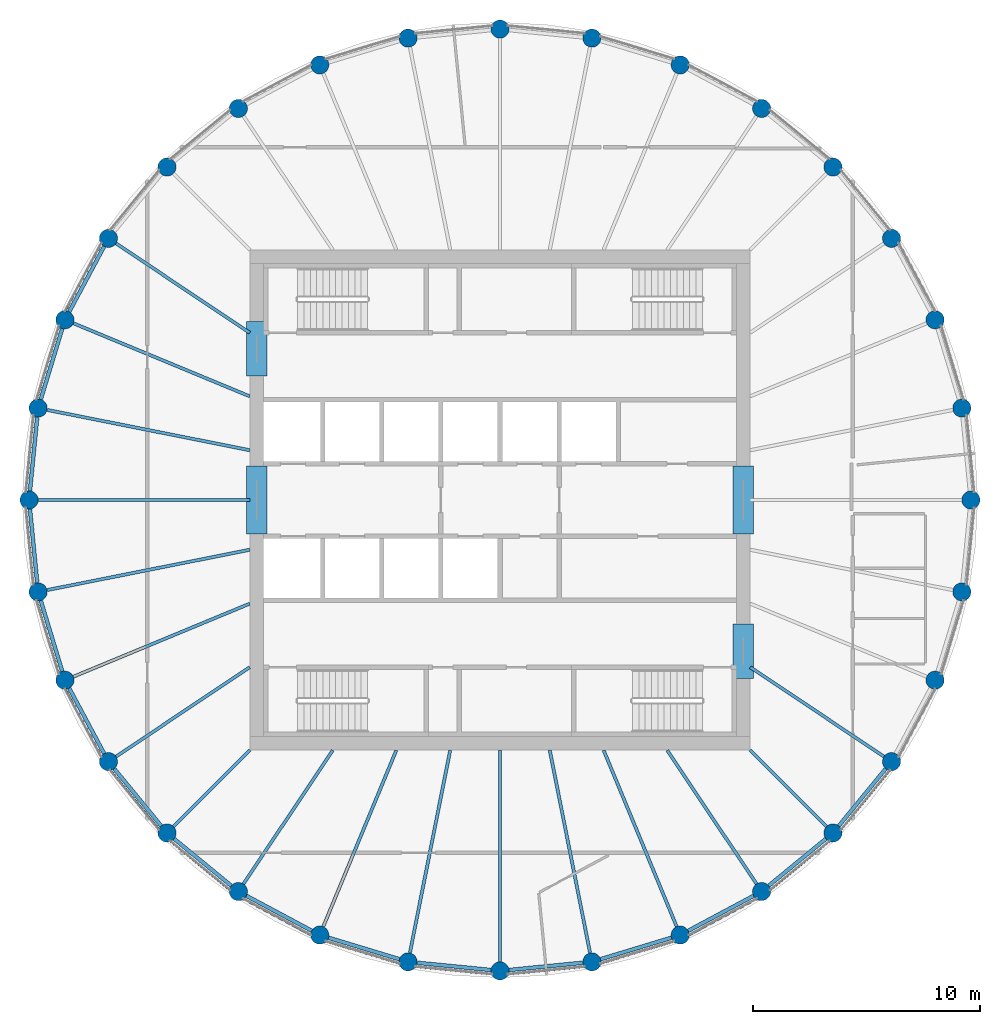
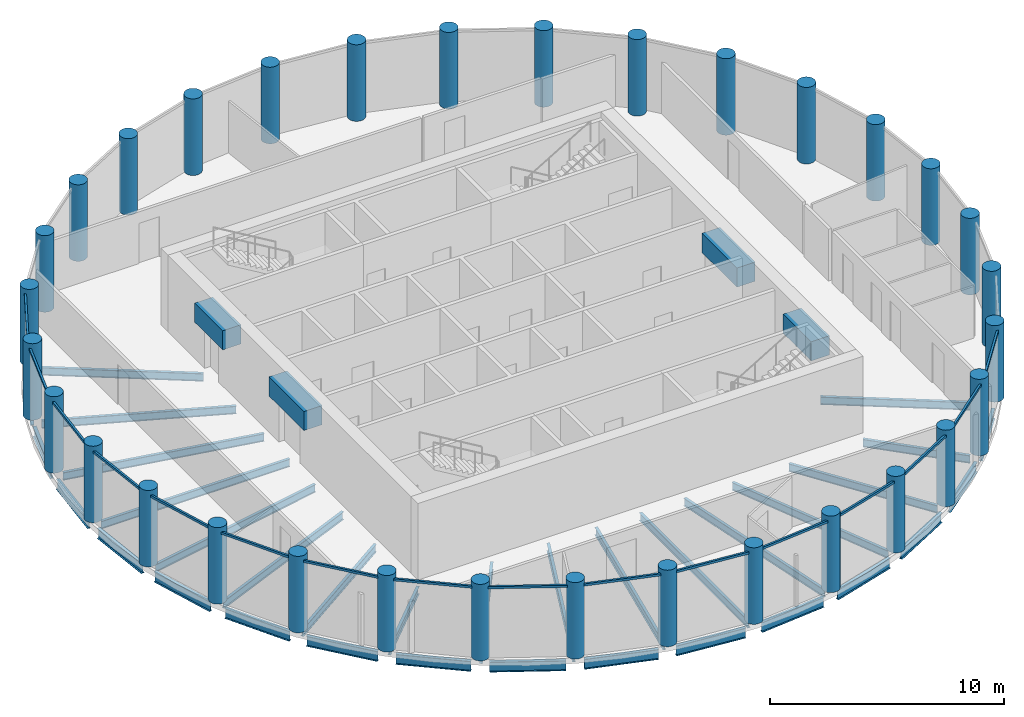
# One storey, part 1 of 7: 37 beams, 32 columns, 16 members, 16 elements without a shape of their own.
"""IFC4 building model written with IfcOpenShell, lengths in metres."""

from ifc_helpers import new_model, si_unit, direction, frame, origin, origin_2d, place, context, subcontext, project, spatial, rectangle, circle, i_section, extrude, material, material_profile, profile_set, type_object, element, aggregate, save


model = new_model("IFC4")

# Units and contexts
model_context = context("Model", 3, precision=1e-05, world=origin(), true_north=direction((0.0, 1.0)))
body_context = subcontext(model_context, "Body", "Model", "MODEL_VIEW")
ifc_project = project(units=[si_unit("LENGTHUNIT", "METRE"), si_unit("AREAUNIT", "SQUARE_METRE"), si_unit("VOLUMEUNIT", "CUBIC_METRE"), si_unit("PLANEANGLEUNIT", "RADIAN"), si_unit("MASSUNIT", "GRAM", prefix="KILO")], contexts=[model_context])

# Site, building, storey
site_placement = place(None, origin())
site = spatial("IfcSite", under=ifc_project, at=site_placement, CompositionType="ELEMENT")
building_placement = place(site_placement, origin())
building = spatial("IfcBuilding", under=site, at=building_placement, Name="Corvane Civic Tower", CompositionType="ELEMENT")
storey_placement = place(building_placement, frame((0.0, 0.0, 352.5)))
storey = spatial("IfcBuildingStorey", under=building, at=storey_placement, Name="L84", CompositionType="ELEMENT", Elevation=352.5)

# Columns
ifc_material_1 = material(Name="Concrete C60/75", Category="concrete")
ifc_material_profile_1 = material_profile(ifc_material_1, circle(Radius=0.39990234375, at=origin_2d()), Name="COLUMN 800")
ifc_profile_set_1 = profile_set([ifc_material_profile_1], Name="Concrete C60/75")
column_type = type_object("IfcColumnType", Name="RC COLUMN COLUMN 800", PredefinedType="COLUMN", material=ifc_profile_set_1)
for number, where, z_axis, x_axis, name in (
    (1, (0.0, 20.699951171875, 0.0), (0.0, 0.0, 1.0), (1.0, 0.0, 0.0), "COL-L84-F01"),
    (2, (4.038330078125, 20.30224609375, 0.0), (0.0, 0.0, 1.0), (1.0, 0.0, 0.0), "COL-L84-F02"),
    (3, (7.921630859375, 19.124267578125, 0.0), (0.0, 0.0, 1.0), (1.0, 0.0, 0.0), "COL-L84-F03"),
    (4, (11.500244140625, 17.21142578125, 0.0), (0.0, 0.0, 1.0), (1.0, 0.0, 0.0), "COL-L84-F04"),
    (5, (14.63720703125, 14.63720703125, 0.0), (0.0, 0.0, 1.0), (1.0, 0.0, 0.0), "COL-L84-F05"),
    (6, (17.21142578125, 11.500244140625, 0.0), (0.0, 0.0, 1.0), (1.0, 0.0, 0.0), "COL-L84-F06"),
    (7, (19.124267578125, 7.921630859375, 0.0), (0.0, 0.0, 1.0), (1.0, 0.0, 0.0), "COL-L84-F07"),
    (8, (20.30224609375, 4.038330078125, 0.0), (0.0, 0.0, 1.0), (1.0, 0.0, 0.0), "COL-L84-F08"),
    (9, (20.699951171875, 0.0, 0.0), (0.0, 0.0, 1.0), (1.0, 0.0, 0.0), "COL-L84-F09"),
    (10, (20.30224609375, -4.038330078125, 0.0), (0.0, 0.0, 1.0), (1.0, 0.0, 0.0), "COL-L84-F10"),
    (11, (19.124267578125, -7.921630859375, 0.0), (0.0, 0.0, 1.0), (1.0, 0.0, 0.0), "COL-L84-F11"),
    (12, (17.21142578125, -11.500244140625, 0.0), (0.0, 0.0, 1.0), (1.0, 0.0, 0.0), "COL-L84-F12"),
    (13, (14.63720703125, -14.63720703125, 0.0), (0.0, 0.0, 1.0), (1.0, 0.0, 0.0), "COL-L84-F13"),
    (14, (11.500244140625, -17.21142578125, 0.0), (0.0, 0.0, 1.0), (1.0, 0.0, 0.0), "COL-L84-F14"),
    (15, (7.921630859375, -19.124267578125, 0.0), (0.0, 0.0, 1.0), (1.0, 0.0, 0.0), "COL-L84-F15"),
    (16, (4.038330078125, -20.30224609375, 0.0), (0.0, 0.0, 1.0), (1.0, 0.0, 0.0), "COL-L84-F16"),
    (17, (0.0, -20.699951171875, 0.0), (0.0, 0.0, 1.0), (1.0, 0.0, 0.0), "COL-L84-F17"),
    (18, (-4.038330078125, -20.30224609375, 0.0), (0.0, 0.0, 1.0), (1.0, 0.0, 0.0), "COL-L84-F18"),
    (19, (-7.921630859375, -19.124267578125, 0.0), (0.0, 0.0, 1.0), (1.0, 0.0, 0.0), "COL-L84-F19"),
    (20, (-11.500244140625, -17.21142578125, 0.0), (0.0, 0.0, 1.0), (1.0, 0.0, 0.0), "COL-L84-F20"),
    (21, (-14.63720703125, -14.63720703125, 0.0), (0.0, 0.0, 1.0), (1.0, 0.0, 0.0), "COL-L84-F21"),
    (22, (-17.21142578125, -11.500244140625, 0.0), (0.0, 0.0, 1.0), (1.0, 0.0, 0.0), "COL-L84-F22"),
    (23, (-19.124267578125, -7.921630859375, 0.0), (0.0, 0.0, 1.0), (1.0, 0.0, 0.0), "COL-L84-F23"),
    (24, (-20.30224609375, -4.038330078125, 0.0), (0.0, 0.0, 1.0), (1.0, 0.0, 0.0), "COL-L84-F24"),
    (25, (-20.699951171875, 0.0, 0.0), (0.0, 0.0, 1.0), (1.0, 0.0, 0.0), "COL-L84-F25"),
    (26, (-20.30224609375, 4.038330078125, 0.0), (0.0, 0.0, 1.0), (1.0, 0.0, 0.0), "COL-L84-F26"),
    (27, (-19.124267578125, 7.921630859375, 0.0), (0.0, 0.0, 1.0), (1.0, 0.0, 0.0), "COL-L84-F27"),
    (28, (-17.21142578125, 11.500244140625, 0.0), (0.0, 0.0, 1.0), (1.0, 0.0, 0.0), "COL-L84-F28"),
    (29, (-14.63720703125, 14.63720703125, 0.0), (0.0, 0.0, 1.0), (1.0, 0.0, 0.0), "COL-L84-F29"),
    (30, (-11.500244140625, 17.21142578125, 0.0), (0.0, 0.0, 1.0), (1.0, 0.0, 0.0), "COL-L84-F30"),
    (31, (-7.921630859375, 19.124267578125, 0.0), (0.0, 0.0, 1.0), (1.0, 0.0, 0.0), "COL-L84-F31"),
    (32, (-4.038330078125, 20.30224609375, 0.0), (0.0, 0.0, 1.0), (1.0, 0.0, 0.0), "COL-L84-F32"),
):
    element("IfcColumn", number, at=place(storey_placement, frame(where, z_axis=z_axis, x_axis=x_axis)), inside=storey, type_object=column_type, Name=name, PredefinedType="COLUMN", context=body_context, shape_type="SweptSolid", body=[
        extrude(circle(Radius=0.39990234375, at=origin_2d()), origin(), (0.0, 0.0, 1.0), 4.0),
    ])

# Beams
ifc_material_2 = material(Name="Concrete C40/50", Category="concrete")
ifc_material_profile_2 = material_profile(ifc_material_2, rectangle(XDim=0.89990234375, YDim=1.0, at=origin_2d()), Name="COUPLING BEAM 900X1000")
ifc_profile_set_2 = profile_set([ifc_material_profile_2], Name="Concrete C40/50")
beam_type_1 = type_object("IfcBeamType", Name="COUPLING BEAM COUPLING BEAM 900X1000", PredefinedType="BEAM", material=ifc_profile_set_2)
for number, where, z_axis, x_axis, name in (
    (33, (-10.699951171875, -1.5, 2.60009765625), (0.0, 1.0, 0.0), (-1.0, 0.0, 0.0), "BM-L84-cpl-CW-LW"),
    (34, (10.699951171875, -1.5, 2.60009765625), (0.0, 1.0, 0.0), (-1.0, 0.0, 0.0), "BM-L84-cpl-CW-LE"),
):
    element("IfcBeam", number, at=place(storey_placement, frame(where, z_axis=z_axis, x_axis=x_axis)), inside=storey, type_object=beam_type_1, Name=name, PredefinedType="BEAM", context=body_context, shape_type="SweptSolid", body=[
        extrude(rectangle(XDim=0.89990234375, YDim=1.0, at=origin_2d()), origin(), (0.0, 0.0, 1.0), 3.0),
    ])
for number, where, z_axis, x_axis, name in (
    (35, (-10.699951171875, 5.449951171875, 2.60009765625), (0.0, 1.0, 0.0), (-1.0, 0.0, 0.0), "BM-L84-cpl-CW-WN"),
    (36, (10.699951171875, -7.85009765625, 2.60009765625), (0.0, 1.0, 0.0), (-1.0, 0.0, 0.0), "BM-L84-cpl-CW-ES"),
):
    element("IfcBeam", number, at=place(storey_placement, frame(where, z_axis=z_axis, x_axis=x_axis)), inside=storey, type_object=beam_type_1, Name=name, PredefinedType="BEAM", context=body_context, shape_type="SweptSolid", body=[
        extrude(rectangle(XDim=0.89990234375, YDim=1.0, at=origin_2d()), origin(), (0.0, 0.0, 1.0), 2.400146484375),
    ])
ifc_material_3 = material(Name="Steel ASTM A992 Gr 50", Category="steel")
ifc_material_profile_3 = material_profile(ifc_material_3, i_section(OverallWidth=0.165771484375, OverallDepth=0.5283203125, WebThickness=0.009765625, FlangeThickness=0.013671875, at=origin_2d()), Name="W21X50")
ifc_profile_set_3 = profile_set([ifc_material_profile_3], Name="Steel ASTM A992 Gr 50")
beam_type_2 = type_object("IfcBeamType", Name="EDGE BEAM W21X50", PredefinedType="BEAM", material=ifc_profile_set_3)
for number, where, z_axis, x_axis, name in (
    (37, (16.957763671875, -11.8095703125, -0.564208984375), (-0.634424551454, -0.772984791903, 0.0), (0.772984791903, -0.634424551454, 0.0), "BM-L84-E12"),
    (38, (14.327880859375, -14.890869140625, -0.564208984375), (-0.772984791903, -0.634424551454, 0.0), (0.634424551454, -0.772984791903, 0.0), "BM-L84-E13"),
    (39, (11.1474609375, -17.39990234375, -0.564208984375), (-0.881894065907, -0.471447618, 0.0), (0.471447618, -0.881894065907, 0.0), "BM-L84-E14"),
    (40, (7.538818359375, -19.240478515625, -0.564208984375), (-0.956955679349, -0.290234091317, 0.0), (0.290234091317, -0.956955679349, 0.0), "BM-L84-E15"),
):
    element("IfcBeam", number, at=place(storey_placement, frame(where, z_axis=z_axis, x_axis=x_axis)), inside=storey, type_object=beam_type_2, Name=name, PredefinedType="BEAM", context=body_context, shape_type="SweptSolid", body=[
        extrude(i_section(OverallWidth=0.165771484375, OverallDepth=0.5283203125, WebThickness=0.009765625, FlangeThickness=0.013671875, at=origin_2d()), origin(), (0.0, 0.0, 1.0), 3.2578125),
    ])
for number, where, z_axis, x_axis, name in (
    (41, (3.640380859375, -20.341552734375, -0.564208984375), (-0.995192503142, -0.097938152369, 0.0), (0.097938152369, -0.995192503142, 0.0), "BM-L84-E16"),
    (42, (-0.39794921875, -20.66064453125, -0.564208984375), (-0.995192503142, 0.097938152369, 0.0), (-0.097938152369, -0.995192503142, 0.0), "BM-L84-E17"),
):
    element("IfcBeam", number, at=place(storey_placement, frame(where, z_axis=z_axis, x_axis=x_axis)), inside=storey, type_object=beam_type_2, Name=name, PredefinedType="BEAM", context=body_context, shape_type="SweptSolid", body=[
        extrude(i_section(OverallWidth=0.165771484375, OverallDepth=0.5283203125, WebThickness=0.009765625, FlangeThickness=0.013671875, at=origin_2d()), origin(), (0.0, 0.0, 1.0), 3.258056640625),
    ])
for number, where, z_axis, x_axis, name in (
    (43, (-4.421142578125, -20.18603515625, -0.564208984375), (-0.956955679349, 0.290234091317, 0.0), (-0.290234091317, -0.956955679349, 0.0), "BM-L84-E18"),
    (44, (-8.2744140625, -18.935791015625, -0.564208984375), (-0.881894065907, 0.471447618, 0.0), (-0.471447618, -0.881894065907, 0.0), "BM-L84-E19"),
    (45, (-11.8095703125, -16.957763671875, -0.564208984375), (-0.772984791903, 0.634424551454, 0.0), (-0.634424551454, -0.772984791903, 0.0), "BM-L84-E20"),
    (46, (-14.890869140625, -14.327880859375, -0.564208984375), (-0.634424551454, 0.772984791903, 0.0), (-0.772984791903, -0.634424551454, 0.0), "BM-L84-E21"),
    (47, (-17.39990234375, -11.1474609375, -0.564208984375), (-0.471447618, 0.881894065907, 0.0), (-0.881894065907, -0.471447618, 0.0), "BM-L84-E22"),
    (48, (-19.240478515625, -7.538818359375, -0.564208984375), (-0.290234091317, 0.956955679349, 0.0), (-0.956955679349, -0.290234091317, 0.0), "BM-L84-E23"),
):
    element("IfcBeam", number, at=place(storey_placement, frame(where, z_axis=z_axis, x_axis=x_axis)), inside=storey, type_object=beam_type_2, Name=name, PredefinedType="BEAM", context=body_context, shape_type="SweptSolid", body=[
        extrude(i_section(OverallWidth=0.165771484375, OverallDepth=0.5283203125, WebThickness=0.009765625, FlangeThickness=0.013671875, at=origin_2d()), origin(), (0.0, 0.0, 1.0), 3.2578125),
    ])
for number, where, z_axis, x_axis, name in (
    (49, (-20.341552734375, -3.640380859375, -0.564208984375), (-0.097938152369, 0.995192503142, 0.0), (-0.995192503142, -0.097938152369, 0.0), "BM-L84-E24"),
    (50, (-20.66064453125, 0.39794921875, -0.564208984375), (0.097938152369, 0.995192503142, 0.0), (-0.995192503142, 0.097938152369, 0.0), "BM-L84-E25"),
):
    element("IfcBeam", number, at=place(storey_placement, frame(where, z_axis=z_axis, x_axis=x_axis)), inside=storey, type_object=beam_type_2, Name=name, PredefinedType="BEAM", context=body_context, shape_type="SweptSolid", body=[
        extrude(i_section(OverallWidth=0.165771484375, OverallDepth=0.5283203125, WebThickness=0.009765625, FlangeThickness=0.013671875, at=origin_2d()), origin(), (0.0, 0.0, 1.0), 3.258056640625),
    ])
for number, where, z_axis, x_axis, name in (
    (51, (-20.18603515625, 4.421142578125, -0.564208984375), (0.290234091317, 0.956955679349, 0.0), (-0.956955679349, 0.290234091317, 0.0), "BM-L84-E26"),
    (52, (-18.935791015625, 8.2744140625, -0.564208984375), (0.471447618, 0.881894065907, 0.0), (-0.881894065907, 0.471447618, 0.0), "BM-L84-E27"),
):
    element("IfcBeam", number, at=place(storey_placement, frame(where, z_axis=z_axis, x_axis=x_axis)), inside=storey, type_object=beam_type_2, Name=name, PredefinedType="BEAM", context=body_context, shape_type="SweptSolid", body=[
        extrude(i_section(OverallWidth=0.165771484375, OverallDepth=0.5283203125, WebThickness=0.009765625, FlangeThickness=0.013671875, at=origin_2d()), origin(), (0.0, 0.0, 1.0), 3.2578125),
    ])
ifc_material_4 = material(Name="Steel ASTM A992 Gr 50", Category="steel")
ifc_material_profile_4 = material_profile(ifc_material_4, i_section(OverallWidth=0.140380859375, OverallDepth=0.40380859375, WebThickness=0.007080078125, FlangeThickness=0.01123046875, at=origin_2d()), Name="W16X31")
ifc_profile_set_4 = profile_set([ifc_material_profile_4], Name="Steel ASTM A992 Gr 50")
beam_type_3 = type_object("IfcBeamType", Name="FLOOR GIRDER W16X31", PredefinedType="BEAM", material=ifc_profile_set_4)
beam_1_placement = place(storey_placement, frame((11.0, -7.349853515625, -0.501953125), z_axis=(0.831465490699, -0.555576401385, 0.0), x_axis=(0.555576401385, 0.831465490699, 0.0)))
element("IfcBeam", 53, at=beam_1_placement, inside=storey, type_object=beam_type_3, Name="BM-L84-G12", PredefinedType="BEAM", context=body_context, shape_type="SweptSolid", body=[
    extrude(i_section(OverallWidth=0.140380859375, OverallDepth=0.40380859375, WebThickness=0.007080078125, FlangeThickness=0.01123046875, at=origin_2d()), origin(), (0.0, 0.0, 1.0), 7.070556640625),
])
beam_2_placement = place(storey_placement, frame((11.0, -11.0, -0.501953125), z_axis=(0.707106781187, -0.707106781187, 0.0), x_axis=(0.707106781187, 0.707106781187, 0.0)))
element("IfcBeam", 54, at=beam_2_placement, inside=storey, type_object=beam_type_3, Name="BM-L84-G13", PredefinedType="BEAM", context=body_context, shape_type="SweptSolid", body=[
    extrude(i_section(OverallWidth=0.140380859375, OverallDepth=0.40380859375, WebThickness=0.007080078125, FlangeThickness=0.01123046875, at=origin_2d()), origin(), (0.0, 0.0, 1.0), 4.74365234375),
])
beam_3_placement = place(storey_placement, frame((7.349853515625, -11.0, -0.501953125), z_axis=(0.555576401385, -0.831465490699, 0.0), x_axis=(0.831465490699, 0.555576401385, 0.0)))
element("IfcBeam", 55, at=beam_3_placement, inside=storey, type_object=beam_type_3, Name="BM-L84-G14", PredefinedType="BEAM", context=body_context, shape_type="SweptSolid", body=[
    extrude(i_section(OverallWidth=0.140380859375, OverallDepth=0.40380859375, WebThickness=0.007080078125, FlangeThickness=0.01123046875, at=origin_2d()), origin(), (0.0, 0.0, 1.0), 7.070556640625),
])
beam_4_placement = place(storey_placement, frame((4.556396484375, -11.0, -0.501953125), z_axis=(0.382691739894, -0.923876091377, 0.0), x_axis=(0.923876091377, 0.382691739894, 0.0)))
element("IfcBeam", 56, at=beam_4_placement, inside=storey, type_object=beam_type_3, Name="BM-L84-G15", PredefinedType="BEAM", context=body_context, shape_type="SweptSolid", body=[
    extrude(i_section(OverallWidth=0.140380859375, OverallDepth=0.40380859375, WebThickness=0.007080078125, FlangeThickness=0.01123046875, at=origin_2d()), origin(), (0.0, 0.0, 1.0), 8.3935546875),
])
beam_5_placement = place(storey_placement, frame((2.18798828125, -11.0, -0.501953125), z_axis=(0.195108241061, -0.980781715913, 0.0), x_axis=(0.980781715913, 0.195108241061, 0.0)))
element("IfcBeam", 57, at=beam_5_placement, inside=storey, type_object=beam_type_3, Name="BM-L84-G16", PredefinedType="BEAM", context=body_context, shape_type="SweptSolid", body=[
    extrude(i_section(OverallWidth=0.140380859375, OverallDepth=0.40380859375, WebThickness=0.007080078125, FlangeThickness=0.01123046875, at=origin_2d()), origin(), (0.0, 0.0, 1.0), 9.08447265625),
])
beam_6_placement = place(storey_placement, frame((0.0, -11.0, -0.501953125), z_axis=(0.0, -1.0, 0.0), x_axis=(1.0, 0.0, 0.0)))
element("IfcBeam", 58, at=beam_6_placement, inside=storey, type_object=beam_type_3, Name="BM-L84-G17", PredefinedType="BEAM", context=body_context, shape_type="SweptSolid", body=[
    extrude(i_section(OverallWidth=0.140380859375, OverallDepth=0.40380859375, WebThickness=0.007080078125, FlangeThickness=0.01123046875, at=origin_2d()), origin(), (0.0, 0.0, 1.0), 9.300048828125),
])
beam_7_placement = place(storey_placement, frame((-2.18798828125, -11.0, -0.501953125), z_axis=(-0.195108241061, -0.980781715913, 0.0), x_axis=(0.980781715913, -0.195108241061, 0.0)))
element("IfcBeam", 59, at=beam_7_placement, inside=storey, type_object=beam_type_3, Name="BM-L84-G18", PredefinedType="BEAM", context=body_context, shape_type="SweptSolid", body=[
    extrude(i_section(OverallWidth=0.140380859375, OverallDepth=0.40380859375, WebThickness=0.007080078125, FlangeThickness=0.01123046875, at=origin_2d()), origin(), (0.0, 0.0, 1.0), 9.08447265625),
])
beam_8_placement = place(storey_placement, frame((-4.556396484375, -11.0, -0.501953125), z_axis=(-0.382691739894, -0.923876091377, 0.0), x_axis=(0.923876091377, -0.382691739894, 0.0)))
element("IfcBeam", 60, at=beam_8_placement, inside=storey, type_object=beam_type_3, Name="BM-L84-G19", PredefinedType="BEAM", context=body_context, shape_type="SweptSolid", body=[
    extrude(i_section(OverallWidth=0.140380859375, OverallDepth=0.40380859375, WebThickness=0.007080078125, FlangeThickness=0.01123046875, at=origin_2d()), origin(), (0.0, 0.0, 1.0), 8.3935546875),
])
beam_9_placement = place(storey_placement, frame((-7.349853515625, -11.0, -0.501953125), z_axis=(-0.555576401385, -0.831465490699, 0.0), x_axis=(0.831465490699, -0.555576401385, 0.0)))
element("IfcBeam", 61, at=beam_9_placement, inside=storey, type_object=beam_type_3, Name="BM-L84-G20", PredefinedType="BEAM", context=body_context, shape_type="SweptSolid", body=[
    extrude(i_section(OverallWidth=0.140380859375, OverallDepth=0.40380859375, WebThickness=0.007080078125, FlangeThickness=0.01123046875, at=origin_2d()), origin(), (0.0, 0.0, 1.0), 7.070556640625),
])
beam_10_placement = place(storey_placement, frame((-11.0, -11.0, -0.501953125), z_axis=(-0.707106781187, -0.707106781187, 0.0), x_axis=(0.707106781187, -0.707106781187, 0.0)))
element("IfcBeam", 62, at=beam_10_placement, inside=storey, type_object=beam_type_3, Name="BM-L84-G21", PredefinedType="BEAM", context=body_context, shape_type="SweptSolid", body=[
    extrude(i_section(OverallWidth=0.140380859375, OverallDepth=0.40380859375, WebThickness=0.007080078125, FlangeThickness=0.01123046875, at=origin_2d()), origin(), (0.0, 0.0, 1.0), 4.74365234375),
])
beam_11_placement = place(storey_placement, frame((-11.0, -7.349853515625, -0.501953125), z_axis=(-0.831465490699, -0.555576401385, 0.0), x_axis=(0.555576401385, -0.831465490699, 0.0)))
element("IfcBeam", 63, at=beam_11_placement, inside=storey, type_object=beam_type_3, Name="BM-L84-G22", PredefinedType="BEAM", context=body_context, shape_type="SweptSolid", body=[
    extrude(i_section(OverallWidth=0.140380859375, OverallDepth=0.40380859375, WebThickness=0.007080078125, FlangeThickness=0.01123046875, at=origin_2d()), origin(), (0.0, 0.0, 1.0), 7.070556640625),
])
beam_12_placement = place(storey_placement, frame((-11.0, -4.556396484375, -0.501953125), z_axis=(-0.923876091377, -0.382691739894, 0.0), x_axis=(0.382691739894, -0.923876091377, 0.0)))
element("IfcBeam", 64, at=beam_12_placement, inside=storey, type_object=beam_type_3, Name="BM-L84-G23", PredefinedType="BEAM", context=body_context, shape_type="SweptSolid", body=[
    extrude(i_section(OverallWidth=0.140380859375, OverallDepth=0.40380859375, WebThickness=0.007080078125, FlangeThickness=0.01123046875, at=origin_2d()), origin(), (0.0, 0.0, 1.0), 8.3935546875),
])
beam_13_placement = place(storey_placement, frame((-11.0, -2.18798828125, -0.501953125), z_axis=(-0.980781715913, -0.195108241061, 0.0), x_axis=(0.195108241061, -0.980781715913, 0.0)))
element("IfcBeam", 65, at=beam_13_placement, inside=storey, type_object=beam_type_3, Name="BM-L84-G24", PredefinedType="BEAM", context=body_context, shape_type="SweptSolid", body=[
    extrude(i_section(OverallWidth=0.140380859375, OverallDepth=0.40380859375, WebThickness=0.007080078125, FlangeThickness=0.01123046875, at=origin_2d()), origin(), (0.0, 0.0, 1.0), 9.08447265625),
])
beam_14_placement = place(storey_placement, frame((-11.0, 0.0, -0.501953125), z_axis=(-1.0, 0.0, 0.0), x_axis=(0.0, -1.0, 0.0)))
element("IfcBeam", 66, at=beam_14_placement, inside=storey, type_object=beam_type_3, Name="BM-L84-G25", PredefinedType="BEAM", context=body_context, shape_type="SweptSolid", body=[
    extrude(i_section(OverallWidth=0.140380859375, OverallDepth=0.40380859375, WebThickness=0.007080078125, FlangeThickness=0.01123046875, at=origin_2d()), origin(), (0.0, 0.0, 1.0), 9.300048828125),
])
beam_15_placement = place(storey_placement, frame((-11.0, 2.18798828125, -0.501953125), z_axis=(-0.980781715913, 0.195108241061, 0.0), x_axis=(-0.195108241061, -0.980781715913, 0.0)))
element("IfcBeam", 67, at=beam_15_placement, inside=storey, type_object=beam_type_3, Name="BM-L84-G26", PredefinedType="BEAM", context=body_context, shape_type="SweptSolid", body=[
    extrude(i_section(OverallWidth=0.140380859375, OverallDepth=0.40380859375, WebThickness=0.007080078125, FlangeThickness=0.01123046875, at=origin_2d()), origin(), (0.0, 0.0, 1.0), 9.08447265625),
])
beam_16_placement = place(storey_placement, frame((-11.0, 4.556396484375, -0.501953125), z_axis=(-0.923876091377, 0.382691739894, 0.0), x_axis=(-0.382691739894, -0.923876091377, 0.0)))
element("IfcBeam", 68, at=beam_16_placement, inside=storey, type_object=beam_type_3, Name="BM-L84-G27", PredefinedType="BEAM", context=body_context, shape_type="SweptSolid", body=[
    extrude(i_section(OverallWidth=0.140380859375, OverallDepth=0.40380859375, WebThickness=0.007080078125, FlangeThickness=0.01123046875, at=origin_2d()), origin(), (0.0, 0.0, 1.0), 8.3935546875),
])
beam_17_placement = place(storey_placement, frame((-11.0, 7.349853515625, -0.501953125), z_axis=(-0.831465490699, 0.555576401385, 0.0), x_axis=(-0.555576401385, -0.831465490699, 0.0)))
element("IfcBeam", 69, at=beam_17_placement, inside=storey, type_object=beam_type_3, Name="BM-L84-G28", PredefinedType="BEAM", context=body_context, shape_type="SweptSolid", body=[
    extrude(i_section(OverallWidth=0.140380859375, OverallDepth=0.40380859375, WebThickness=0.007080078125, FlangeThickness=0.01123046875, at=origin_2d()), origin(), (0.0, 0.0, 1.0), 7.070556640625),
])

# Curtain wall, member
ifc_material_5 = material(Name="Anodised aluminium bronze", Category="aluminium")
curtain_wall_type = type_object("IfcCurtainWallType", Name="TOWER CW-T3 STICK CURTAIN WALL", PredefinedType="NOTDEFINED", material=ifc_material_5)
curtain_wall_1_placement = place(storey_placement, origin())
curtain_wall_1 = element("IfcCurtainWall", 70, at=curtain_wall_1_placement, inside=storey, type_object=curtain_wall_type, Name="Curtain wall CW-T3 L84 bay 12", PredefinedType="NOTDEFINED")
ifc_material_6 = material(Name="Anodised aluminium bronze", Category="aluminium")
ifc_material_profile_5 = material_profile(ifc_material_6, rectangle(XDim=0.10009765625, YDim=0.1201171875, at=origin_2d()), Name="TOWER CW-T3 TRANSOM 100x120")
ifc_profile_set_5 = profile_set([ifc_material_profile_5], Name="Anodised aluminium bronze")
member_type = type_object("IfcMemberType", Name="TOWER CW-T3 TRANSOM 100x120", PredefinedType="USERDEFINED", material=ifc_profile_set_5)
member_1_placement = place(storey_placement, frame((17.14208984375, -11.8671875, 3.68994140625), z_axis=(-0.634393571736, -0.773010217358, 0.0), x_axis=(0.773010217358, -0.634393571736, 0.0)))
member_1 = element("IfcMember", 71, at=member_1_placement, type_object=member_type, Name="Transom CW-T3 L84 12.1", ObjectType="TRANSOM", PredefinedType="USERDEFINED", context=body_context, shape_type="SweptSolid", body=[
    extrude(rectangle(XDim=0.10009765625, YDim=0.1201171875, at=origin_2d()), origin(), (0.0, 0.0, 1.0), 3.40283203125),
])
aggregate(curtain_wall_1, [member_1])

curtain_wall_2_placement = place(storey_placement, origin())
curtain_wall_2 = element("IfcCurtainWall", 72, at=curtain_wall_2_placement, inside=storey, type_object=curtain_wall_type, Name="Curtain wall CW-T3 L84 bay 13", PredefinedType="NOTDEFINED")
member_2_placement = place(storey_placement, frame((14.49755859375, -14.9833984375, 3.68994140625), z_axis=(-0.773010217358, -0.634393571736, 0.0), x_axis=(0.634393571736, -0.773010217358, 0.0)))
member_2 = element("IfcMember", 73, at=member_2_placement, type_object=member_type, Name="Transom CW-T3 L84 13.1", ObjectType="TRANSOM", PredefinedType="USERDEFINED", context=body_context, shape_type="SweptSolid", body=[
    extrude(rectangle(XDim=0.10009765625, YDim=0.1201171875, at=origin_2d()), origin(), (0.0, 0.0, 1.0), 3.40283203125),
])
aggregate(curtain_wall_2, [member_2])

curtain_wall_3_placement = place(storey_placement, origin())
curtain_wall_3 = element("IfcCurtainWall", 74, at=curtain_wall_3_placement, inside=storey, type_object=curtain_wall_type, Name="Curtain wall CW-T3 L84 bay 14", PredefinedType="NOTDEFINED")
member_3_placement = place(storey_placement, frame((11.295654296875, -17.52392578125, 3.68994140625), z_axis=(-0.881941440444, -0.471358988063, 0.0), x_axis=(0.471358988063, -0.881941440444, 0.0)))
member_3 = element("IfcMember", 75, at=member_3_placement, type_object=member_type, Name="Transom CW-T3 L84 14.1", ObjectType="TRANSOM", PredefinedType="USERDEFINED", context=body_context, shape_type="SweptSolid", body=[
    extrude(rectangle(XDim=0.10009765625, YDim=0.1201171875, at=origin_2d()), origin(), (0.0, 0.0, 1.0), 3.40234375),
])
aggregate(curtain_wall_3, [member_3])

curtain_wall_4_placement = place(storey_placement, origin())
curtain_wall_4 = element("IfcCurtainWall", 76, at=curtain_wall_4_placement, inside=storey, type_object=curtain_wall_type, Name="Curtain wall CW-T3 L84 bay 15", PredefinedType="NOTDEFINED")
member_4_placement = place(storey_placement, frame((7.66015625, -19.390869140625, 3.68994140625), z_axis=(-0.956961022204, -0.290216474345, 0.0), x_axis=(0.290216474345, -0.956961022204, 0.0)))
member_4 = element("IfcMember", 77, at=member_4_placement, type_object=member_type, Name="Transom CW-T3 L84 15.1", ObjectType="TRANSOM", PredefinedType="USERDEFINED", context=body_context, shape_type="SweptSolid", body=[
    extrude(rectangle(XDim=0.10009765625, YDim=0.1201171875, at=origin_2d()), origin(), (0.0, 0.0, 1.0), 3.40283203125),
])
aggregate(curtain_wall_4, [member_4])

curtain_wall_5_placement = place(storey_placement, origin())
curtain_wall_5 = element("IfcCurtainWall", 78, at=curtain_wall_5_placement, inside=storey, type_object=curtain_wall_type, Name="Curtain wall CW-T3 L84 bay 16", PredefinedType="NOTDEFINED")
member_5_placement = place(storey_placement, frame((3.729736328125, -20.5126953125, 3.68994140625), z_axis=(-0.995191564676, -0.097947688066, 0.0), x_axis=(0.097947688066, -0.995191564676, 0.0)))
member_5 = element("IfcMember", 79, at=member_5_placement, type_object=member_type, Name="Transom CW-T3 L84 16.1", ObjectType="TRANSOM", PredefinedType="USERDEFINED", context=body_context, shape_type="SweptSolid", body=[
    extrude(rectangle(XDim=0.10009765625, YDim=0.1201171875, at=origin_2d()), origin(), (0.0, 0.0, 1.0), 3.40234375),
])
aggregate(curtain_wall_5, [member_5])

curtain_wall_6_placement = place(storey_placement, origin())
curtain_wall_6 = element("IfcCurtainWall", 80, at=curtain_wall_6_placement, inside=storey, type_object=curtain_wall_type, Name="Curtain wall CW-T3 L84 bay 17", PredefinedType="NOTDEFINED")
member_6_placement = place(storey_placement, frame((-0.34375, -20.845947265625, 3.68994140625), z_axis=(-0.995191564676, 0.097947688066, 0.0), x_axis=(-0.097947688066, -0.995191564676, 0.0)))
member_6 = element("IfcMember", 81, at=member_6_placement, type_object=member_type, Name="Transom CW-T3 L84 17.1", ObjectType="TRANSOM", PredefinedType="USERDEFINED", context=body_context, shape_type="SweptSolid", body=[
    extrude(rectangle(XDim=0.10009765625, YDim=0.1201171875, at=origin_2d()), origin(), (0.0, 0.0, 1.0), 3.40234375),
])
aggregate(curtain_wall_6, [member_6])

curtain_wall_7_placement = place(storey_placement, origin())
curtain_wall_7 = element("IfcCurtainWall", 82, at=curtain_wall_7_placement, inside=storey, type_object=curtain_wall_type, Name="Curtain wall CW-T3 L84 bay 18", PredefinedType="NOTDEFINED")
member_7_placement = place(storey_placement, frame((-4.40380859375, -20.37841796875, 3.68994140625), z_axis=(-0.956961022204, 0.290216474345, 0.0), x_axis=(-0.290216474345, -0.956961022204, 0.0)))
member_7 = element("IfcMember", 83, at=member_7_placement, type_object=member_type, Name="Transom CW-T3 L84 18.1", ObjectType="TRANSOM", PredefinedType="USERDEFINED", context=body_context, shape_type="SweptSolid", body=[
    extrude(rectangle(XDim=0.10009765625, YDim=0.1201171875, at=origin_2d()), origin(), (0.0, 0.0, 1.0), 3.40283203125),
])
aggregate(curtain_wall_7, [member_7])

curtain_wall_8_placement = place(storey_placement, origin())
curtain_wall_8 = element("IfcCurtainWall", 84, at=curtain_wall_8_placement, inside=storey, type_object=curtain_wall_type, Name="Curtain wall CW-T3 L84 bay 19", PredefinedType="NOTDEFINED")
member_8_placement = place(storey_placement, frame((-8.294921875, -19.127685546875, 3.68994140625), z_axis=(-0.881941440444, 0.471358988063, 0.0), x_axis=(-0.471358988063, -0.881941440444, 0.0)))
member_8 = element("IfcMember", 85, at=member_8_placement, type_object=member_type, Name="Transom CW-T3 L84 19.1", ObjectType="TRANSOM", PredefinedType="USERDEFINED", context=body_context, shape_type="SweptSolid", body=[
    extrude(rectangle(XDim=0.10009765625, YDim=0.1201171875, at=origin_2d()), origin(), (0.0, 0.0, 1.0), 3.40234375),
])
aggregate(curtain_wall_8, [member_8])

curtain_wall_9_placement = place(storey_placement, origin())
curtain_wall_9 = element("IfcCurtainWall", 86, at=curtain_wall_9_placement, inside=storey, type_object=curtain_wall_type, Name="Curtain wall CW-T3 L84 bay 20", PredefinedType="NOTDEFINED")
member_9_placement = place(storey_placement, frame((-11.8671875, -17.14208984375, 3.68994140625), z_axis=(-0.773010217358, 0.634393571736, 0.0), x_axis=(-0.634393571736, -0.773010217358, 0.0)))
member_9 = element("IfcMember", 87, at=member_9_placement, type_object=member_type, Name="Transom CW-T3 L84 20.1", ObjectType="TRANSOM", PredefinedType="USERDEFINED", context=body_context, shape_type="SweptSolid", body=[
    extrude(rectangle(XDim=0.10009765625, YDim=0.1201171875, at=origin_2d()), origin(), (0.0, 0.0, 1.0), 3.40283203125),
])
aggregate(curtain_wall_9, [member_9])

curtain_wall_10_placement = place(storey_placement, origin())
curtain_wall_10 = element("IfcCurtainWall", 88, at=curtain_wall_10_placement, inside=storey, type_object=curtain_wall_type, Name="Curtain wall CW-T3 L84 bay 21", PredefinedType="NOTDEFINED")
member_10_placement = place(storey_placement, frame((-14.9833984375, -14.49755859375, 3.68994140625), z_axis=(-0.634393571736, 0.773010217358, 0.0), x_axis=(-0.773010217358, -0.634393571736, 0.0)))
member_10 = element("IfcMember", 89, at=member_10_placement, type_object=member_type, Name="Transom CW-T3 L84 21.1", ObjectType="TRANSOM", PredefinedType="USERDEFINED", context=body_context, shape_type="SweptSolid", body=[
    extrude(rectangle(XDim=0.10009765625, YDim=0.1201171875, at=origin_2d()), origin(), (0.0, 0.0, 1.0), 3.40283203125),
])
aggregate(curtain_wall_10, [member_10])

curtain_wall_11_placement = place(storey_placement, origin())
curtain_wall_11 = element("IfcCurtainWall", 90, at=curtain_wall_11_placement, inside=storey, type_object=curtain_wall_type, Name="Curtain wall CW-T3 L84 bay 22", PredefinedType="NOTDEFINED")
member_11_placement = place(storey_placement, frame((-17.52392578125, -11.295654296875, 3.68994140625), z_axis=(-0.471358988063, 0.881941440444, 0.0), x_axis=(-0.881941440444, -0.471358988063, 0.0)))
member_11 = element("IfcMember", 91, at=member_11_placement, type_object=member_type, Name="Transom CW-T3 L84 22.1", ObjectType="TRANSOM", PredefinedType="USERDEFINED", context=body_context, shape_type="SweptSolid", body=[
    extrude(rectangle(XDim=0.10009765625, YDim=0.1201171875, at=origin_2d()), origin(), (0.0, 0.0, 1.0), 3.40234375),
])
aggregate(curtain_wall_11, [member_11])

curtain_wall_12_placement = place(storey_placement, origin())
curtain_wall_12 = element("IfcCurtainWall", 92, at=curtain_wall_12_placement, inside=storey, type_object=curtain_wall_type, Name="Curtain wall CW-T3 L84 bay 23", PredefinedType="NOTDEFINED")
member_12_placement = place(storey_placement, frame((-19.390869140625, -7.66015625, 3.68994140625), z_axis=(-0.290216474345, 0.956961022204, 0.0), x_axis=(-0.956961022204, -0.290216474345, 0.0)))
member_12 = element("IfcMember", 93, at=member_12_placement, type_object=member_type, Name="Transom CW-T3 L84 23.1", ObjectType="TRANSOM", PredefinedType="USERDEFINED", context=body_context, shape_type="SweptSolid", body=[
    extrude(rectangle(XDim=0.10009765625, YDim=0.1201171875, at=origin_2d()), origin(), (0.0, 0.0, 1.0), 3.40283203125),
])
aggregate(curtain_wall_12, [member_12])

curtain_wall_13_placement = place(storey_placement, origin())
curtain_wall_13 = element("IfcCurtainWall", 94, at=curtain_wall_13_placement, inside=storey, type_object=curtain_wall_type, Name="Curtain wall CW-T3 L84 bay 24", PredefinedType="NOTDEFINED")
member_13_placement = place(storey_placement, frame((-20.5126953125, -3.729736328125, 3.68994140625), z_axis=(-0.097947688066, 0.995191564676, 0.0), x_axis=(-0.995191564676, -0.097947688066, 0.0)))
member_13 = element("IfcMember", 95, at=member_13_placement, type_object=member_type, Name="Transom CW-T3 L84 24.1", ObjectType="TRANSOM", PredefinedType="USERDEFINED", context=body_context, shape_type="SweptSolid", body=[
    extrude(rectangle(XDim=0.10009765625, YDim=0.1201171875, at=origin_2d()), origin(), (0.0, 0.0, 1.0), 3.40234375),
])
aggregate(curtain_wall_13, [member_13])

curtain_wall_14_placement = place(storey_placement, origin())
curtain_wall_14 = element("IfcCurtainWall", 96, at=curtain_wall_14_placement, inside=storey, type_object=curtain_wall_type, Name="Curtain wall CW-T3 L84 bay 25", PredefinedType="NOTDEFINED")
member_14_placement = place(storey_placement, frame((-20.845947265625, 0.34375, 3.68994140625), z_axis=(0.097947688066, 0.995191564676, 0.0), x_axis=(-0.995191564676, 0.097947688066, 0.0)))
member_14 = element("IfcMember", 97, at=member_14_placement, type_object=member_type, Name="Transom CW-T3 L84 25.1", ObjectType="TRANSOM", PredefinedType="USERDEFINED", context=body_context, shape_type="SweptSolid", body=[
    extrude(rectangle(XDim=0.10009765625, YDim=0.1201171875, at=origin_2d()), origin(), (0.0, 0.0, 1.0), 3.40234375),
])
aggregate(curtain_wall_14, [member_14])

curtain_wall_15_placement = place(storey_placement, origin())
curtain_wall_15 = element("IfcCurtainWall", 98, at=curtain_wall_15_placement, inside=storey, type_object=curtain_wall_type, Name="Curtain wall CW-T3 L84 bay 26", PredefinedType="NOTDEFINED")
member_15_placement = place(storey_placement, frame((-20.37841796875, 4.40380859375, 3.68994140625), z_axis=(0.290216474345, 0.956961022204, 0.0), x_axis=(-0.956961022204, 0.290216474345, 0.0)))
member_15 = element("IfcMember", 99, at=member_15_placement, type_object=member_type, Name="Transom CW-T3 L84 26.1", ObjectType="TRANSOM", PredefinedType="USERDEFINED", context=body_context, shape_type="SweptSolid", body=[
    extrude(rectangle(XDim=0.10009765625, YDim=0.1201171875, at=origin_2d()), origin(), (0.0, 0.0, 1.0), 3.40283203125),
])
aggregate(curtain_wall_15, [member_15])

curtain_wall_16_placement = place(storey_placement, origin())
curtain_wall_16 = element("IfcCurtainWall", 100, at=curtain_wall_16_placement, inside=storey, type_object=curtain_wall_type, Name="Curtain wall CW-T3 L84 bay 27", PredefinedType="NOTDEFINED")
member_16_placement = place(storey_placement, frame((-19.127685546875, 8.294921875, 3.68994140625), z_axis=(0.471358988063, 0.881941440444, 0.0), x_axis=(-0.881941440444, 0.471358988063, 0.0)))
member_16 = element("IfcMember", 101, at=member_16_placement, type_object=member_type, Name="Transom CW-T3 L84 27.1", ObjectType="TRANSOM", PredefinedType="USERDEFINED", context=body_context, shape_type="SweptSolid", body=[
    extrude(rectangle(XDim=0.10009765625, YDim=0.1201171875, at=origin_2d()), origin(), (0.0, 0.0, 1.0), 3.40234375),
])
aggregate(curtain_wall_16, [member_16])

save(model, "model.ifc")
